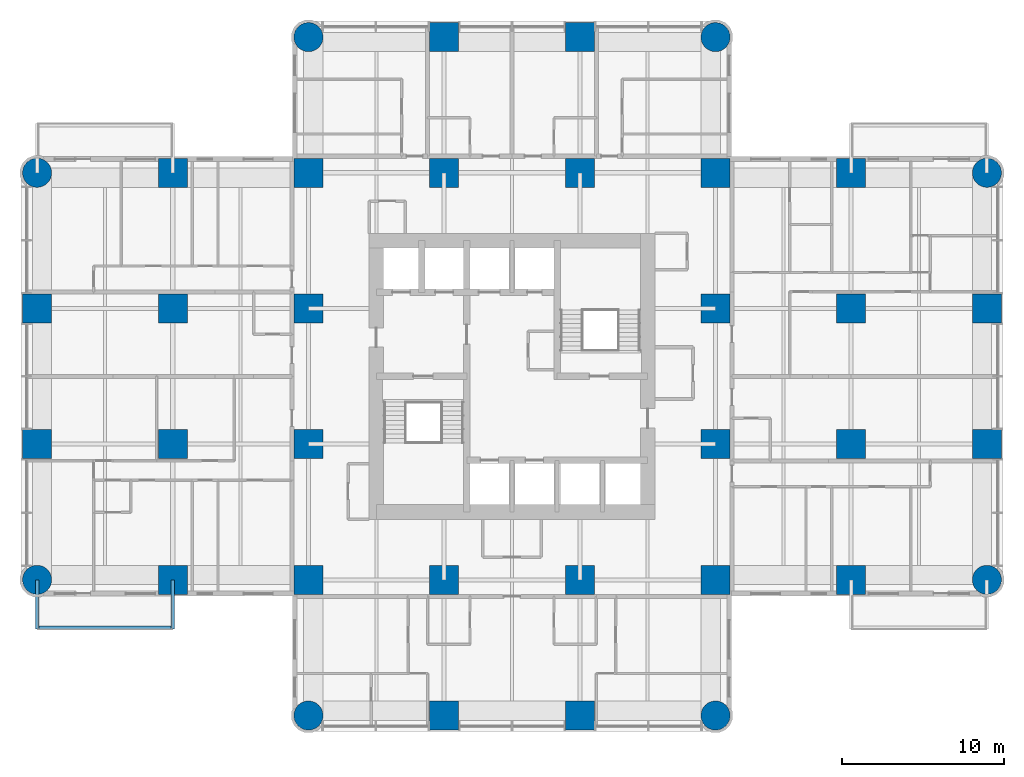
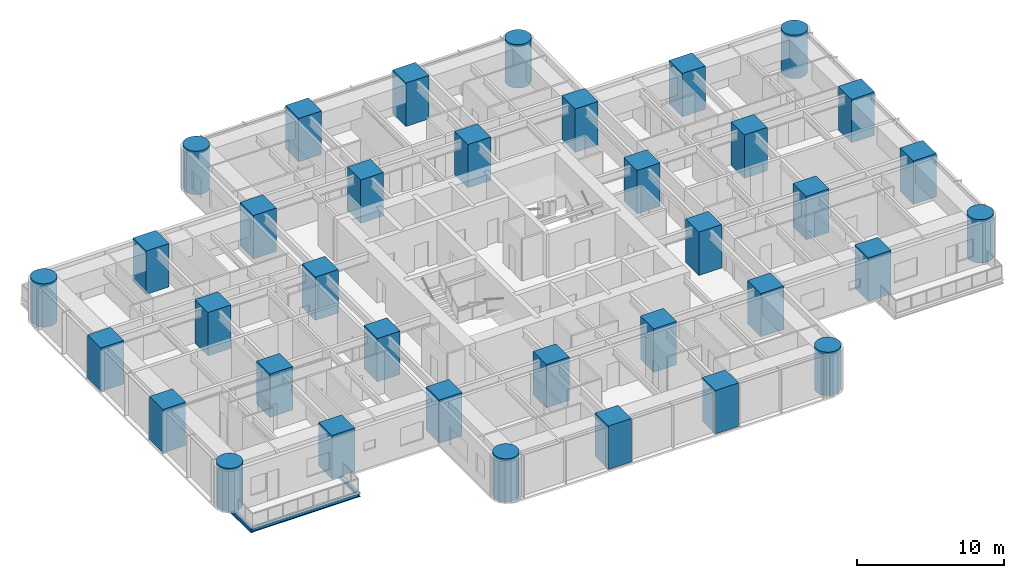
# One storey, part 1 of 14: 36 columns, 3 beams.
"""IFC4 building model written with IfcOpenShell, lengths in metres."""

from ifc_helpers import new_model, si_unit, direction, frame, origin, origin_2d, place, context, subcontext, project, spatial, rectangle, circle, i_section, extrude, material, material_profile, profile_set, type_object, element, save


model = new_model("IFC4")

# Units and contexts
model_context = context("Model", 3, precision=1e-05, world=origin(), true_north=direction((0.0, 1.0)))
body_context = subcontext(model_context, "Body", "Model", "MODEL_VIEW")
ifc_project = project(units=[si_unit("LENGTHUNIT", "METRE"), si_unit("AREAUNIT", "SQUARE_METRE"), si_unit("VOLUMEUNIT", "CUBIC_METRE"), si_unit("PLANEANGLEUNIT", "RADIAN"), si_unit("MASSUNIT", "GRAM", prefix="KILO")], contexts=[model_context])

# Site, building, storey
site_placement = place(None, origin())
site = spatial("IfcSite", under=ifc_project, at=site_placement, CompositionType="ELEMENT")
building_placement = place(site_placement, origin())
building = spatial("IfcBuilding", under=site, at=building_placement, Name="Torre Alcanfor", CompositionType="ELEMENT")
storey_placement = place(building_placement, frame((0.0, 0.0, 170.10009765625)))
storey = spatial("IfcBuildingStorey", under=building, at=storey_placement, Name="L44", CompositionType="ELEMENT", Elevation=170.10009765625)

# Columns
ifc_material_1 = material(Name="Concrete f'c 70 MPa", Category="concrete")
ifc_material_profile_1 = material_profile(ifc_material_1, rectangle(XDim=1.800048828125, YDim=1.800048828125, at=origin_2d()), Name="1800x1800")
ifc_profile_set_1 = profile_set([ifc_material_profile_1], Name="Concrete f'c 70 MPa")
column_type_1 = type_object("IfcColumnType", Name="RC column 1800x1800 f'c70", PredefinedType="COLUMN", material=ifc_profile_set_1)
for number, where, z_axis, x_axis, name in (
    (1, (0.0, 25.199951171875, 0.0), (0.0, 0.0, 1.0), (1.0, 0.0, 0.0), "Column 1/F L44"),
    (2, (0.0, 33.60009765625, 0.0), (0.0, 0.0, 1.0), (1.0, 0.0, 0.0), "Column 1/G L44"),
    (3, (8.39990234375, 16.800048828125, 0.0), (0.0, 0.0, 1.0), (1.0, 0.0, 0.0), "Column 2/E L44"),
    (4, (8.39990234375, 25.199951171875, 0.0), (0.0, 0.0, 1.0), (1.0, 0.0, 0.0), "Column 2/F L44"),
    (5, (8.39990234375, 33.60009765625, 0.0), (0.0, 0.0, 1.0), (1.0, 0.0, 0.0), "Column 2/G L44"),
    (6, (8.39990234375, 42.0, 0.0), (0.0, 0.0, 1.0), (1.0, 0.0, 0.0), "Column 2/H L44"),
    (7, (16.800048828125, 16.800048828125, 0.0), (0.0, 0.0, 1.0), (1.0, 0.0, 0.0), "Column 3/E L44"),
    (8, (16.800048828125, 25.199951171875, 0.0), (0.0, 0.0, 1.0), (1.0, 0.0, 0.0), "Column 3/F L44"),
    (9, (16.800048828125, 33.60009765625, 0.0), (0.0, 0.0, 1.0), (1.0, 0.0, 0.0), "Column 3/G L44"),
    (10, (16.800048828125, 42.0, 0.0), (0.0, 0.0, 1.0), (1.0, 0.0, 0.0), "Column 3/H L44"),
    (11, (25.199951171875, 8.39990234375, 0.0), (0.0, 0.0, 1.0), (1.0, 0.0, 0.0), "Column 4/D L44"),
    (12, (25.199951171875, 16.800048828125, 0.0), (0.0, 0.0, 1.0), (1.0, 0.0, 0.0), "Column 4/E L44"),
    (13, (25.199951171875, 42.0, 0.0), (0.0, 0.0, 1.0), (1.0, 0.0, 0.0), "Column 4/H L44"),
    (14, (25.199951171875, 50.39990234375, 0.0), (0.0, 0.0, 1.0), (1.0, 0.0, 0.0), "Column 4/J L44"),
    (15, (33.60009765625, 8.39990234375, 0.0), (0.0, 0.0, 1.0), (1.0, 0.0, 0.0), "Column 5/D L44"),
    (16, (33.60009765625, 16.800048828125, 0.0), (0.0, 0.0, 1.0), (1.0, 0.0, 0.0), "Column 5/E L44"),
    (17, (33.60009765625, 42.0, 0.0), (0.0, 0.0, 1.0), (1.0, 0.0, 0.0), "Column 5/H L44"),
    (18, (33.60009765625, 50.39990234375, 0.0), (0.0, 0.0, 1.0), (1.0, 0.0, 0.0), "Column 5/J L44"),
    (19, (42.0, 16.800048828125, 0.0), (0.0, 0.0, 1.0), (1.0, 0.0, 0.0), "Column 6/E L44"),
    (20, (42.0, 25.199951171875, 0.0), (0.0, 0.0, 1.0), (1.0, 0.0, 0.0), "Column 6/F L44"),
    (21, (42.0, 33.60009765625, 0.0), (0.0, 0.0, 1.0), (1.0, 0.0, 0.0), "Column 6/G L44"),
    (22, (42.0, 42.0, 0.0), (0.0, 0.0, 1.0), (1.0, 0.0, 0.0), "Column 6/H L44"),
    (23, (50.39990234375, 16.800048828125, 0.0), (0.0, 0.0, 1.0), (1.0, 0.0, 0.0), "Column 7/E L44"),
    (24, (50.39990234375, 25.199951171875, 0.0), (0.0, 0.0, 1.0), (1.0, 0.0, 0.0), "Column 7/F L44"),
    (25, (50.39990234375, 33.60009765625, 0.0), (0.0, 0.0, 1.0), (1.0, 0.0, 0.0), "Column 7/G L44"),
    (26, (50.39990234375, 42.0, 0.0), (0.0, 0.0, 1.0), (1.0, 0.0, 0.0), "Column 7/H L44"),
    (27, (58.800048828125, 25.199951171875, 0.0), (0.0, 0.0, 1.0), (1.0, 0.0, 0.0), "Column 8/F L44"),
    (28, (58.800048828125, 33.60009765625, 0.0), (0.0, 0.0, 1.0), (1.0, 0.0, 0.0), "Column 8/G L44"),
):
    element("IfcColumn", number, at=place(storey_placement, frame(where, z_axis=z_axis, x_axis=x_axis)), inside=storey, type_object=column_type_1, Name=name, PredefinedType="COLUMN", context=body_context, shape_type="SweptSolid", body=[
        extrude(rectangle(XDim=1.800048828125, YDim=1.800048828125, at=origin_2d()), origin(), (0.0, 0.0, 1.0), 3.599853515625),
    ])
ifc_material_2 = material(Name="Concrete f'c 70 MPa", Category="concrete")
ifc_material_profile_2 = material_profile(ifc_material_2, circle(Radius=0.89990234375, at=origin_2d()), Name="D1800")
ifc_profile_set_2 = profile_set([ifc_material_profile_2], Name="Concrete f'c 70 MPa")
column_type_2 = type_object("IfcColumnType", Name="RC column D1800 f'c70", PredefinedType="COLUMN", material=ifc_profile_set_2)
for number, where, z_axis, x_axis, name in (
    (29, (0.0, 16.800048828125, 0.0), (0.0, 0.0, 1.0), (1.0, 0.0, 0.0), "Column 1/E L44"),
    (30, (0.0, 42.0, 0.0), (0.0, 0.0, 1.0), (1.0, 0.0, 0.0), "Column 1/H L44"),
    (31, (16.800048828125, 8.39990234375, 0.0), (0.0, 0.0, 1.0), (1.0, 0.0, 0.0), "Column 3/D L44"),
    (32, (16.800048828125, 50.39990234375, 0.0), (0.0, 0.0, 1.0), (1.0, 0.0, 0.0), "Column 3/J L44"),
    (33, (42.0, 8.39990234375, 0.0), (0.0, 0.0, 1.0), (1.0, 0.0, 0.0), "Column 6/D L44"),
    (34, (42.0, 50.39990234375, 0.0), (0.0, 0.0, 1.0), (1.0, 0.0, 0.0), "Column 6/J L44"),
    (35, (58.800048828125, 16.800048828125, 0.0), (0.0, 0.0, 1.0), (1.0, 0.0, 0.0), "Column 8/E L44"),
    (36, (58.800048828125, 42.0, 0.0), (0.0, 0.0, 1.0), (1.0, 0.0, 0.0), "Column 8/H L44"),
):
    element("IfcColumn", number, at=place(storey_placement, frame(where, z_axis=z_axis, x_axis=x_axis)), inside=storey, type_object=column_type_2, Name=name, PredefinedType="COLUMN", context=body_context, shape_type="SweptSolid", body=[
        extrude(circle(Radius=0.89990234375, at=origin_2d()), origin(), (0.0, 0.0, 1.0), 3.599853515625),
    ])

# Beams
ifc_material_3 = material(Name="Steel ASTM A992 Grade 50", Category="steel")
ifc_material_profile_3 = material_profile(ifc_material_3, i_section(OverallWidth=0.205322265625, OverallDepth=0.309814453125, WebThickness=0.00927734375, FlangeThickness=0.016357421875, at=origin_2d()), Name="W12x50")
ifc_profile_set_3 = profile_set([ifc_material_profile_3], Name="Steel ASTM A992 Grade 50")
beam_type_1 = type_object("IfcBeamType", Name="Balcony cantilever beam W12x50", PredefinedType="BEAM", material=ifc_profile_set_3)
for number, where, z_axis, x_axis, name in (
    (37, (8.39990234375, 16.800048828125, -0.35498046875), (0.0, -1.0, 0.0), (1.0, 0.0, 0.0), "Balcony cantilever beam L44-W1 1"),
    (38, (0.0, 16.800048828125, -0.35498046875), (0.0, -1.0, 0.0), (1.0, 0.0, 0.0), "Balcony cantilever beam L44-W1 2"),
):
    element("IfcBeam", number, at=place(storey_placement, frame(where, z_axis=z_axis, x_axis=x_axis)), inside=storey, type_object=beam_type_1, Name=name, PredefinedType="BEAM", context=body_context, shape_type="SweptSolid", body=[
        extrude(i_section(OverallWidth=0.205322265625, OverallDepth=0.309814453125, WebThickness=0.00927734375, FlangeThickness=0.016357421875, at=origin_2d()), origin(), (0.0, 0.0, 1.0), 3.050048828125),
    ])
ifc_material_4 = material(Name="Steel ASTM A992 Grade 50", Category="steel")
ifc_material_profile_4 = material_profile(ifc_material_4, i_section(OverallWidth=0.203369140625, OverallDepth=0.30224609375, WebThickness=0.007568359375, FlangeThickness=0.01318359375, at=origin_2d()), Name="W12x40")
ifc_profile_set_4 = profile_set([ifc_material_profile_4], Name="Steel ASTM A992 Grade 50")
beam_type_2 = type_object("IfcBeamType", Name="Balcony edge trimmer W12x40", PredefinedType="BEAM", material=ifc_profile_set_4)
beam_placement = place(storey_placement, frame((8.39990234375, 13.851806640625, -0.351318359375), z_axis=(-1.0, 0.0, 0.0), x_axis=(0.0, -1.0, 0.0)))
element("IfcBeam", 39, at=beam_placement, inside=storey, type_object=beam_type_2, Name="Balcony edge trimmer L44-W1", PredefinedType="BEAM", context=body_context, shape_type="SweptSolid", body=[
    extrude(i_section(OverallWidth=0.203369140625, OverallDepth=0.30224609375, WebThickness=0.007568359375, FlangeThickness=0.01318359375, at=origin_2d()), origin(), (0.0, 0.0, 1.0), 8.39990234375),
])

save(model, "model.ifc")
